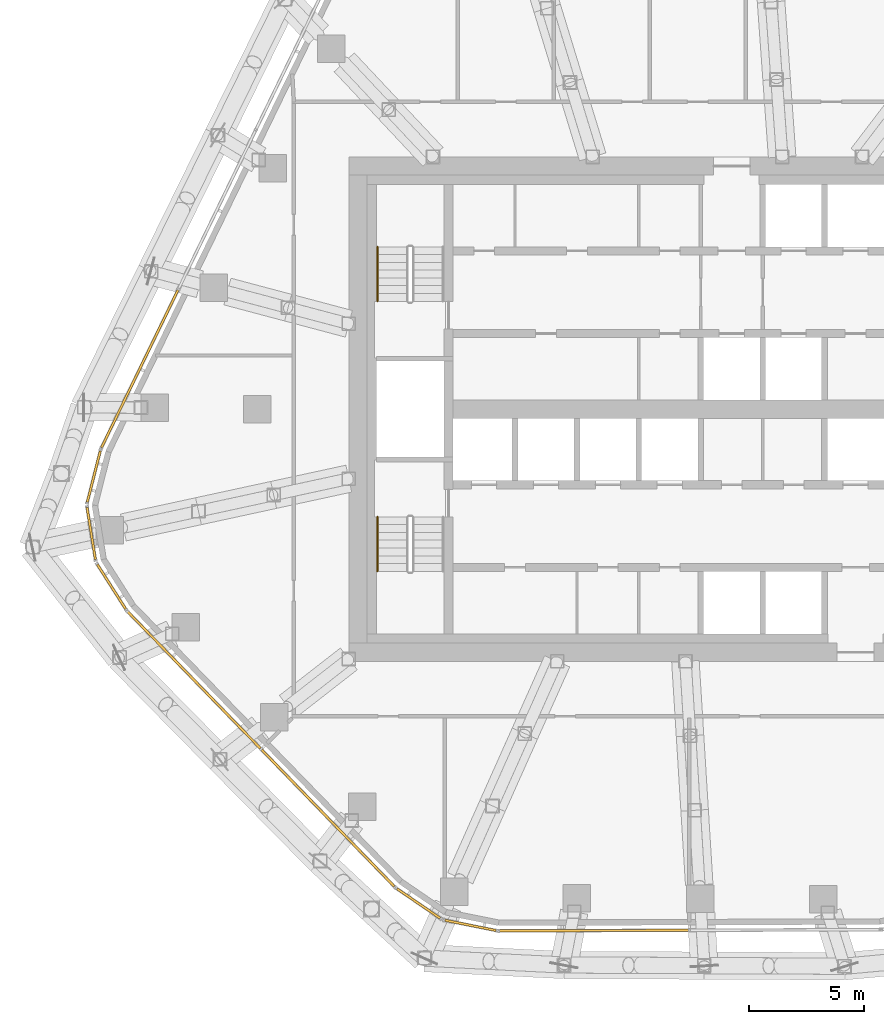
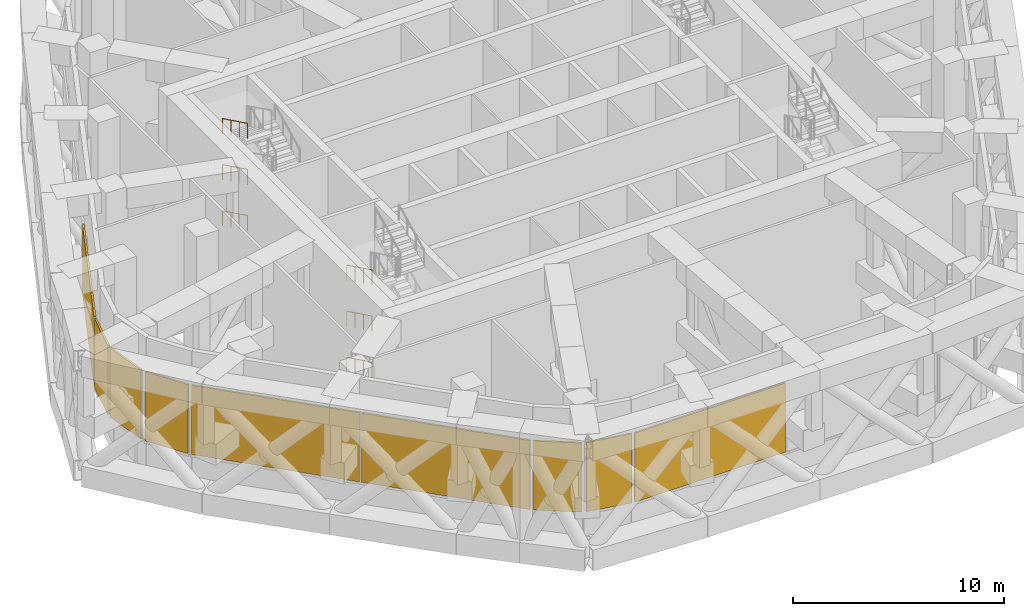
# One storey, part 18 of 21: 9 coverings, 6 railings, 5 elements without a shape of their own.
"""IFC4 building model written with IfcOpenShell, lengths in metres."""

from ifc_helpers import new_model, si_unit, direction, frame, origin, origin_2d, place, context, subcontext, project, spatial, rectangle, circle, extrude, material, layer, layer_set, type_object, element, aggregate, save


model = new_model("IFC4")

# Units and contexts
model_context = context("Model", 3, precision=1e-05, world=origin(), true_north=direction((0.0, 1.0)))
body_context = subcontext(model_context, "Body", "Model", "MODEL_VIEW")
ifc_project = project(units=[si_unit("LENGTHUNIT", "METRE"), si_unit("AREAUNIT", "SQUARE_METRE"), si_unit("VOLUMEUNIT", "CUBIC_METRE"), si_unit("PLANEANGLEUNIT", "RADIAN"), si_unit("MASSUNIT", "GRAM", prefix="KILO")], contexts=[model_context])

# Site, building, storey
site_placement = place(None, origin())
site = spatial("IfcSite", under=ifc_project, at=site_placement, CompositionType="ELEMENT")
building_placement = place(site_placement, origin())
building = spatial("IfcBuilding", under=site, at=building_placement, Name="Dongbaek Canopy Tower", CompositionType="ELEMENT")
storey_placement = place(building_placement, frame((0.0, 0.0, 220.60009765625)))
storey = spatial("IfcBuildingStorey", under=building, at=storey_placement, Name="L46", CompositionType="ELEMENT", Elevation=220.60009765625)

# Curtain wall, covering
ifc_material_1 = material(Name="Aluminium 6063-T6 pale anodised", Category="aluminium")
ifc_layer_1 = layer(ifc_material_1, 0.14990234375)
ifc_layer_set_1 = layer_set([ifc_layer_1], Name="CW-7 louvre curtain wall")
curtain_wall_type = type_object("IfcCurtainWallType", Name="CW-7 louvre curtain wall", PredefinedType="NOTDEFINED", material=ifc_layer_set_1)
curtain_wall_1_placement = place(storey_placement, origin())
curtain_wall_1 = element("IfcCurtainWall", 1, at=curtain_wall_1_placement, inside=storey, type_object=curtain_wall_type, Name="CW-7 louvre wall L46 F2", PredefinedType="NOTDEFINED")
ifc_material_2 = material(Name="Aluminium 6063-T6 pale metal louvre blades", Category="aluminium")
ifc_layer_2 = layer(ifc_material_2, 0.10009765625)
ifc_layer_set_2 = layer_set([ifc_layer_2], Name="Louvre LV bank 100 x 4000")
covering_type = type_object("IfcCoveringType", Name="Louvre LV bank 100 x 4000", PredefinedType="CLADDING", material=ifc_layer_set_2)
covering_1_placement = place(storey_placement, frame((-23.117431640625, 1.75830078125, 1.77490234375), z_axis=(0.0, 0.0, 1.0), x_axis=(-0.436767146018, -0.899574599552, 0.0)))
covering_1 = element("IfcCovering", 2, at=covering_1_placement, type_object=covering_type, Name="Louvre L46 F2.1.3", PredefinedType="CLADDING", context=body_context, shape_type="SweptSolid", body=[
    extrude(rectangle(XDim=7.6337890625, YDim=0.10009765625, at=origin_2d()), origin(), (0.0, 0.0, 1.0), 4.0),
])
aggregate(curtain_wall_1, [covering_1])

# Curtain wall, coverings
curtain_wall_2_placement = place(storey_placement, origin())
curtain_wall_2 = element("IfcCurtainWall", 3, at=curtain_wall_2_placement, inside=storey, type_object=curtain_wall_type, Name="CW-7 louvre wall L46 K3", PredefinedType="NOTDEFINED")
covering_2_placement = place(storey_placement, frame((-25.123046875, -2.9443359375, 1.77490234375), z_axis=(0.0, 0.0, 1.0), x_axis=(-0.245743178216, -0.969334973247, 0.0)))
covering_2 = element("IfcCovering", 4, at=covering_2_placement, type_object=covering_type, Name="Louvre L46 K3.1.1", PredefinedType="CLADDING", context=body_context, shape_type="SweptSolid", body=[
    extrude(rectangle(XDim=2.306884765625, YDim=0.10009765625, at=origin_2d()), origin(), (0.0, 0.0, 1.0), 4.0),
])
covering_3_placement = place(storey_placement, frame((-25.23486328125, -5.425537109375, 1.77490234375), z_axis=(0.0, 0.0, 1.0), x_axis=(0.158473685908, -0.987363201094, 0.0)))
covering_3 = element("IfcCovering", 5, at=covering_3_placement, type_object=covering_type, Name="Louvre L46 K3.2.1", PredefinedType="CLADDING", context=body_context, shape_type="SweptSolid", body=[
    extrude(rectangle(XDim=2.29638671875, YDim=0.10009765625, at=origin_2d()), origin(), (0.0, 0.0, 1.0), 4.0),
])
covering_4_placement = place(storey_placement, frame((-24.35205078125, -7.7470703125, 1.77490234375), z_axis=(0.0, 0.0, 1.0), x_axis=(0.536745826074, -0.843743988537, 0.0)))
covering_4 = element("IfcCovering", 6, at=covering_4_placement, type_object=covering_type, Name="Louvre L46 K3.3.1", PredefinedType="CLADDING", context=body_context, shape_type="SweptSolid", body=[
    extrude(rectangle(XDim=2.306884765625, YDim=0.10009765625, at=origin_2d()), origin(), (0.0, 0.0, 1.0), 4.0),
])
aggregate(curtain_wall_2, [covering_2, covering_3, covering_4])

curtain_wall_3_placement = place(storey_placement, origin())
curtain_wall_3 = element("IfcCurtainWall", 7, at=curtain_wall_3_placement, inside=storey, type_object=curtain_wall_type, Name="CW-7 louvre wall L46 F3", PredefinedType="NOTDEFINED")
covering_5_placement = place(storey_placement, frame((-20.7451171875, -11.823486328125, 1.77490234375), z_axis=(0.0, 0.0, 1.0), x_axis=(0.696344113915, -0.717708070886, 0.0)))
covering_5 = element("IfcCovering", 8, at=covering_5_placement, type_object=covering_type, Name="Louvre L46 F3.1.1", PredefinedType="CLADDING", context=body_context, shape_type="SweptSolid", body=[
    extrude(rectangle(XDim=8.2958984375, YDim=0.10009765625, at=origin_2d()), origin(), (0.0, 0.0, 1.0), 4.0),
])
covering_6_placement = place(storey_placement, frame((-14.905517578125, -17.842041015625, 1.77490234375), z_axis=(0.0, 0.0, 1.0), x_axis=(0.696344113915, -0.717708070886, 0.0)))
covering_6 = element("IfcCovering", 9, at=covering_6_placement, type_object=covering_type, Name="Louvre L46 F3.1.2", PredefinedType="CLADDING", context=body_context, shape_type="SweptSolid", body=[
    extrude(rectangle(XDim=8.2958984375, YDim=0.10009765625, at=origin_2d()), origin(), (0.0, 0.0, 1.0), 4.0),
])
aggregate(curtain_wall_3, [covering_5, covering_6])

curtain_wall_4_placement = place(storey_placement, origin())
curtain_wall_4 = element("IfcCurtainWall", 10, at=curtain_wall_4_placement, inside=storey, type_object=curtain_wall_type, Name="CW-7 louvre wall L46 K4", PredefinedType="NOTDEFINED")
covering_7_placement = place(storey_placement, frame((-10.956298828125, -21.563720703125, 1.77490234375), z_axis=(0.0, 0.0, 1.0), x_axis=(0.825559931255, -0.564314451264, 0.0)))
covering_7 = element("IfcCovering", 11, at=covering_7_placement, type_object=covering_type, Name="Louvre L46 K4.1.1", PredefinedType="CLADDING", context=body_context, shape_type="SweptSolid", body=[
    extrude(rectangle(XDim=2.274169921875, YDim=0.10009765625, at=origin_2d()), origin(), (0.0, 0.0, 1.0), 4.0),
])
covering_8_placement = place(storey_placement, frame((-8.692626953125, -22.517333984375, 1.77490234375), z_axis=(0.0, 0.0, 1.0), x_axis=(0.98050183526, -0.196509926089, 0.0)))
covering_8 = element("IfcCovering", 12, at=covering_8_placement, type_object=covering_type, Name="Louvre L46 K4.2.1", PredefinedType="CLADDING", context=body_context, shape_type="SweptSolid", body=[
    extrude(rectangle(XDim=2.274169921875, YDim=0.10009765625, at=origin_2d()), origin(), (0.0, 0.0, 1.0), 4.0),
])
aggregate(curtain_wall_4, [covering_7, covering_8])

# Curtain wall, covering
curtain_wall_5_placement = place(storey_placement, origin())
curtain_wall_5 = element("IfcCurtainWall", 13, at=curtain_wall_5_placement, inside=storey, type_object=curtain_wall_type, Name="CW-7 louvre wall L46 F4", PredefinedType="NOTDEFINED")
covering_9_placement = place(storey_placement, frame((-3.305908203125, -22.74365234375, 1.77490234375), z_axis=(0.0, 0.0, 1.0), x_axis=(0.999995177758, 0.003105553262, 0.0)))
covering_9 = element("IfcCovering", 14, at=covering_9_placement, type_object=covering_type, Name="Louvre L46 F4.1.1", PredefinedType="CLADDING", context=body_context, shape_type="SweptSolid", body=[
    extrude(rectangle(XDim=8.225341796875, YDim=0.10009765625, at=origin_2d()), origin(), (0.0, 0.0, 1.0), 4.0),
])
aggregate(curtain_wall_5, [covering_9])

# Railings
ifc_material_3 = material(Name="Stainless steel tube", Category="steel")
railing_type = type_object("IfcRailingType", Name="Stair handrail 900", PredefinedType="HANDRAIL", material=ifc_material_3)
railing_1_placement = place(storey_placement, frame((-12.75, 7.080078125, 1.5)))
element("IfcRailing", 15, at=railing_1_placement, inside=storey, type_object=railing_type, Name="L46 ST-C stair handrail 2", PredefinedType="HANDRAIL", context=body_context, shape_type="SweptSolid", body=[
    extrude(circle(Radius=0.02392578125, at=origin_2d()), frame((0.0, 0.0, 0.8759765625), z_axis=(0.0, -0.897954268197, 0.440088777664), x_axis=(1.0, 0.0, 0.0)), (0.0, 0.0, 1.0), 2.650634765625),
    extrude(circle(Radius=0.02099609375, at=origin_2d()), origin(), (0.0, 0.0, 1.0), 0.851806640625),
    extrude(circle(Radius=0.02099609375, at=origin_2d()), frame((0.0, -0.79345703125, 0.388916015625)), (0.0, 0.0, 1.0), 0.851806640625),
    extrude(circle(Radius=0.02099609375, at=origin_2d()), frame((0.0, -1.586669921875, 0.777587890625)), (0.0, 0.0, 1.0), 0.851806640625),
    extrude(circle(Radius=0.02099609375, at=origin_2d()), frame((0.0, -2.380126953125, 1.16650390625)), (0.0, 0.0, 1.0), 0.851806640625),
])
for number, where, name in (
    (16, (-12.75, 7.080078125, 4.16650390625), "L46 ST-C stair handrail 4"),
    (17, (-12.75, 7.080078125, 6.833251953125), "L46 ST-C stair handrail 6"),
    (18, (-12.75, -4.699951171875, 0.16650390625), "L46 ST-D stair handrail 1"),
    (19, (-12.75, -4.699951171875, 2.833251953125), "L46 ST-D stair handrail 3"),
):
    element("IfcRailing", number, at=place(storey_placement, frame(where)), inside=storey, type_object=railing_type, Name=name, PredefinedType="HANDRAIL", context=body_context, shape_type="SweptSolid", body=[
        extrude(circle(Radius=0.02392578125, at=origin_2d()), frame((0.0, 0.0, 0.8759765625), z_axis=(0.0, -0.897917867668, 0.440163041295), x_axis=(1.0, 0.0, 0.0)), (0.0, 0.0, 1.0), 2.650634765625),
        extrude(circle(Radius=0.02099609375, at=origin_2d()), origin(), (0.0, 0.0, 1.0), 0.851806640625),
        extrude(circle(Radius=0.02099609375, at=origin_2d()), frame((0.0, -0.79345703125, 0.388916015625)), (0.0, 0.0, 1.0), 0.851806640625),
        extrude(circle(Radius=0.02099609375, at=origin_2d()), frame((0.0, -1.586669921875, 0.77783203125)), (0.0, 0.0, 1.0), 0.851806640625),
        extrude(circle(Radius=0.02099609375, at=origin_2d()), frame((0.0, -2.380126953125, 1.166748046875)), (0.0, 0.0, 1.0), 0.851806640625),
    ])
railing_2_placement = place(storey_placement, frame((-12.75, -4.699951171875, 5.5)))
element("IfcRailing", 20, at=railing_2_placement, inside=storey, type_object=railing_type, Name="L46 ST-D stair handrail 5", PredefinedType="HANDRAIL", context=body_context, shape_type="SweptSolid", body=[
    extrude(circle(Radius=0.02392578125, at=origin_2d()), frame((0.0, 0.0, 0.8759765625), z_axis=(0.0, -0.897954268197, 0.440088777664), x_axis=(1.0, 0.0, 0.0)), (0.0, 0.0, 1.0), 2.650634765625),
    extrude(circle(Radius=0.02099609375, at=origin_2d()), origin(), (0.0, 0.0, 1.0), 0.851806640625),
    extrude(circle(Radius=0.02099609375, at=origin_2d()), frame((0.0, -0.79345703125, 0.388916015625)), (0.0, 0.0, 1.0), 0.851806640625),
    extrude(circle(Radius=0.02099609375, at=origin_2d()), frame((0.0, -1.586669921875, 0.777587890625)), (0.0, 0.0, 1.0), 0.851806640625),
    extrude(circle(Radius=0.02099609375, at=origin_2d()), frame((0.0, -2.380126953125, 1.16650390625)), (0.0, 0.0, 1.0), 0.851806640625),
])

save(model, "model.ifc")
